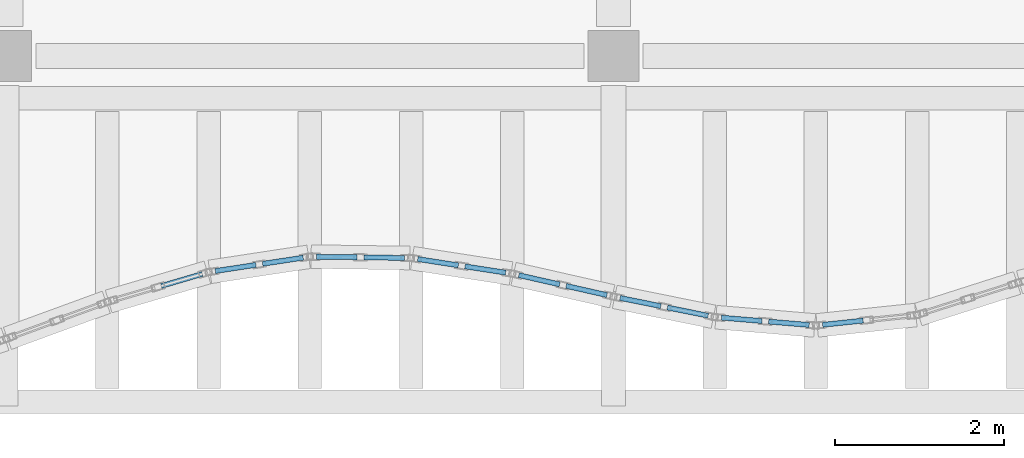
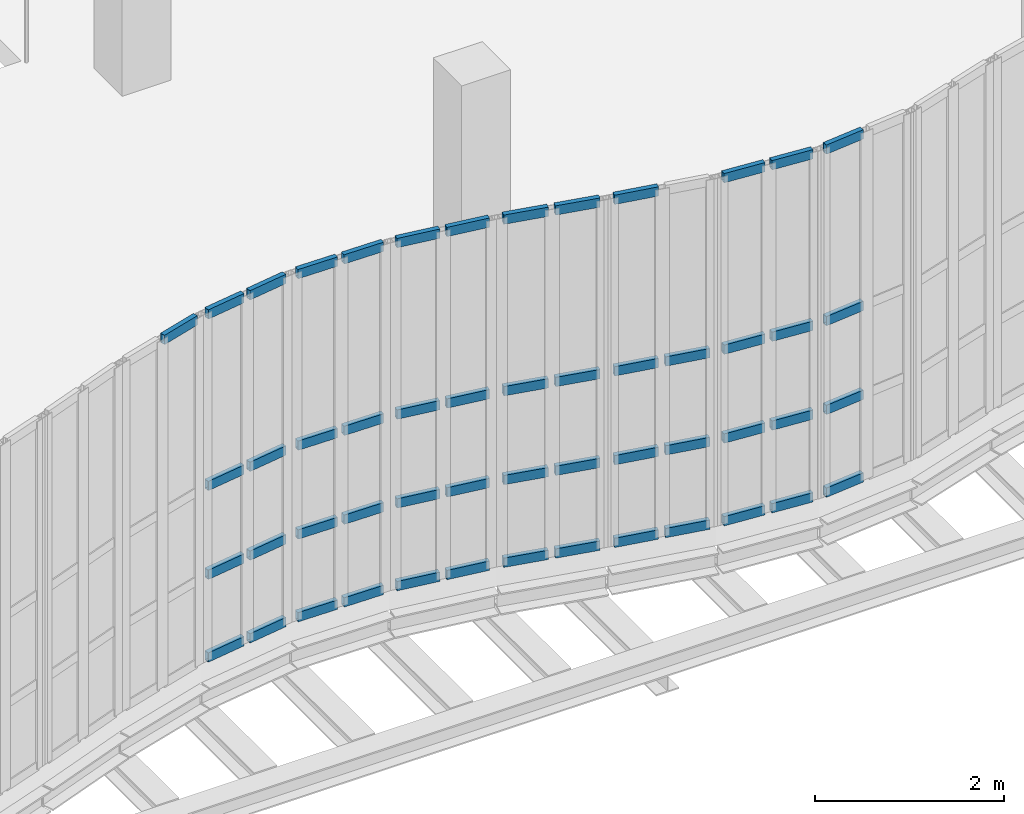
# One storey, part 58 of 105: 52 members, 8 elements without a shape of their own.
"""IFC4 building model written with IfcOpenShell, lengths in metres."""

from ifc_helpers import new_model, si_unit, direction, frame, origin, origin_2d, place, context, subcontext, project, spatial, hollow_rectangle, extrude, material, layer, layer_set, material_profile, profile_set, type_object, element, aggregate, save


model = new_model("IFC4")

# Units and contexts
model_context = context("Model", 3, precision=1e-05, world=origin(), true_north=direction((0.0, 1.0)))
body_context = subcontext(model_context, "Body", "Model", "MODEL_VIEW")
ifc_project = project(units=[si_unit("LENGTHUNIT", "METRE"), si_unit("AREAUNIT", "SQUARE_METRE"), si_unit("VOLUMEUNIT", "CUBIC_METRE"), si_unit("PLANEANGLEUNIT", "RADIAN"), si_unit("MASSUNIT", "GRAM", prefix="KILO"), si_unit("THERMODYNAMICTEMPERATUREUNIT", "KELVIN"), si_unit("POWERUNIT", "WATT")], contexts=[model_context])

# Site, building, storey
site_placement = place(None, origin())
site = spatial("IfcSite", under=ifc_project, at=site_placement, CompositionType="ELEMENT")
building_placement = place(site_placement, origin())
building = spatial("IfcBuilding", under=site, at=building_placement, Name="Kaldorven Railside Theatre", CompositionType="ELEMENT")
storey_placement = place(building_placement, frame((0.0, 0.0, 9.89990234375)))
storey = spatial("IfcBuildingStorey", under=building, at=storey_placement, Name="L02", CompositionType="ELEMENT", Elevation=9.89990234375)

# Curtain wall, member
ifc_material_1 = material(Name="Low-E laminated solar-control glass", Category="glass")
ifc_layer_1 = layer(ifc_material_1, 0.159912109375, Name="Low-E laminated solar-control glass")
ifc_layer_set_1 = layer_set([ifc_layer_1], Name="Low-E laminated solar-control glass")
curtain_wall_type_1 = type_object("IfcCurtainWallType", Name="CWT-04", PredefinedType="USERDEFINED", material=ifc_layer_set_1)
curtain_wall_1_placement = place(storey_placement, origin())
curtain_wall_1 = element("IfcCurtainWall", 1, at=curtain_wall_1_placement, inside=storey, type_object=curtain_wall_type_1, Name="Sinusoidal Fluted Curtain Wall CW-L02-S38", ObjectType="FLUTED GLAZING", PredefinedType="USERDEFINED")
ifc_material_2 = material(Name="Anodised bronze aluminium", Category="aluminium")
ifc_material_profile = material_profile(ifc_material_2, hollow_rectangle(XDim=0.06005859375, YDim=0.1201171875, WallThickness=0.0048828125, at=origin_2d()), Name="RHS 120x60x5")
ifc_profile_set = profile_set([ifc_material_profile], Name="Anodised bronze aluminium")
member_type = type_object("IfcMemberType", Name="CWT-120", PredefinedType="USERDEFINED", material=ifc_profile_set)
member_1_placement = place(storey_placement, frame((81.83837890625, 16.472900390625, 4.47021484375), z_axis=(0.959380884602, 0.282114016419, 0.0), x_axis=(-0.282114016419, 0.959380884602, 0.0)))
member_1 = element("IfcMember", 2, at=member_1_placement, type_object=member_type, Name="CW-L02-S38 transom 2.4", ObjectType="TRANSOM", PredefinedType="USERDEFINED", context=body_context, shape_type="SweptSolid", body=[
    extrude(hollow_rectangle(XDim=0.06005859375, YDim=0.1201171875, WallThickness=0.0048828125, at=origin_2d()), origin(), (0.0, 0.0, 1.0), 0.50537109375),
])
aggregate(curtain_wall_1, [member_1])

# Curtain wall, members
ifc_layer_2 = layer(ifc_material_1, 0.159912109375, Name="Low-E laminated solar-control glass")
ifc_layer_set_2 = layer_set([ifc_layer_2], Name="Low-E laminated solar-control glass")
curtain_wall_type_2 = type_object("IfcCurtainWallType", Name="CWT-07", PredefinedType="USERDEFINED", material=ifc_layer_set_2)
curtain_wall_2_placement = place(storey_placement, origin())
curtain_wall_2 = element("IfcCurtainWall", 3, at=curtain_wall_2_placement, inside=storey, type_object=curtain_wall_type_2, Name="Sinusoidal Fluted Curtain Wall CW-L02-S39", ObjectType="FLUTED GLAZING", PredefinedType="USERDEFINED")
member_2_placement = place(storey_placement, frame((82.47900390625, 16.650146484375, 0.030029296875), z_axis=(0.988550662101, 0.150889325199, 0.0), x_axis=(-0.150889325199, 0.988550662101, 0.0)))
member_2 = element("IfcMember", 4, at=member_2_placement, type_object=member_type, Name="CW-L02-S39 transom 1.1", ObjectType="TRANSOM", PredefinedType="USERDEFINED", context=body_context, shape_type="SweptSolid", body=[
    extrude(hollow_rectangle(XDim=0.06005859375, YDim=0.1201171875, WallThickness=0.0048828125, at=origin_2d()), origin(), (0.0, 0.0, 1.0), 0.487060546875),
])
member_3_placement = place(storey_placement, frame((82.47900390625, 16.650146484375, 1.10009765625), z_axis=(0.988550662101, 0.150889325199, 0.0), x_axis=(-0.150889325199, 0.988550662101, 0.0)))
member_3 = element("IfcMember", 5, at=member_3_placement, type_object=member_type, Name="CW-L02-S39 transom 1.2", ObjectType="TRANSOM", PredefinedType="USERDEFINED", context=body_context, shape_type="SweptSolid", body=[
    extrude(hollow_rectangle(XDim=0.06005859375, YDim=0.1201171875, WallThickness=0.0048828125, at=origin_2d()), origin(), (0.0, 0.0, 1.0), 0.487060546875),
])
member_4_placement = place(storey_placement, frame((82.47900390625, 16.650146484375, 2.25), z_axis=(0.988550662101, 0.150889325199, 0.0), x_axis=(-0.150889325199, 0.988550662101, 0.0)))
member_4 = element("IfcMember", 6, at=member_4_placement, type_object=member_type, Name="CW-L02-S39 transom 1.3", ObjectType="TRANSOM", PredefinedType="USERDEFINED", context=body_context, shape_type="SweptSolid", body=[
    extrude(hollow_rectangle(XDim=0.06005859375, YDim=0.1201171875, WallThickness=0.0048828125, at=origin_2d()), origin(), (0.0, 0.0, 1.0), 0.487060546875),
])
member_5_placement = place(storey_placement, frame((82.47900390625, 16.650146484375, 4.47021484375), z_axis=(0.988550662101, 0.150889325199, 0.0), x_axis=(-0.150889325199, 0.988550662101, 0.0)))
member_5 = element("IfcMember", 7, at=member_5_placement, type_object=member_type, Name="CW-L02-S39 transom 1.4", ObjectType="TRANSOM", PredefinedType="USERDEFINED", context=body_context, shape_type="SweptSolid", body=[
    extrude(hollow_rectangle(XDim=0.06005859375, YDim=0.1201171875, WallThickness=0.0048828125, at=origin_2d()), origin(), (0.0, 0.0, 1.0), 0.487060546875),
])
member_6_placement = place(storey_placement, frame((83.03955078125, 16.735595703125, 0.030029296875), z_axis=(0.988550662101, 0.150889325199, 0.0), x_axis=(-0.150889325199, 0.988550662101, 0.0)))
member_6 = element("IfcMember", 8, at=member_6_placement, type_object=member_type, Name="CW-L02-S39 transom 2.1", ObjectType="TRANSOM", PredefinedType="USERDEFINED", context=body_context, shape_type="SweptSolid", body=[
    extrude(hollow_rectangle(XDim=0.06005859375, YDim=0.1201171875, WallThickness=0.0048828125, at=origin_2d()), origin(), (0.0, 0.0, 1.0), 0.487060546875),
])
member_7_placement = place(storey_placement, frame((83.03955078125, 16.735595703125, 1.10009765625), z_axis=(0.988550662101, 0.150889325199, 0.0), x_axis=(-0.150889325199, 0.988550662101, 0.0)))
member_7 = element("IfcMember", 9, at=member_7_placement, type_object=member_type, Name="CW-L02-S39 transom 2.2", ObjectType="TRANSOM", PredefinedType="USERDEFINED", context=body_context, shape_type="SweptSolid", body=[
    extrude(hollow_rectangle(XDim=0.06005859375, YDim=0.1201171875, WallThickness=0.0048828125, at=origin_2d()), origin(), (0.0, 0.0, 1.0), 0.487060546875),
])
member_8_placement = place(storey_placement, frame((83.03955078125, 16.735595703125, 2.25), z_axis=(0.988550662101, 0.150889325199, 0.0), x_axis=(-0.150889325199, 0.988550662101, 0.0)))
member_8 = element("IfcMember", 10, at=member_8_placement, type_object=member_type, Name="CW-L02-S39 transom 2.3", ObjectType="TRANSOM", PredefinedType="USERDEFINED", context=body_context, shape_type="SweptSolid", body=[
    extrude(hollow_rectangle(XDim=0.06005859375, YDim=0.1201171875, WallThickness=0.0048828125, at=origin_2d()), origin(), (0.0, 0.0, 1.0), 0.487060546875),
])
member_9_placement = place(storey_placement, frame((83.03955078125, 16.735595703125, 4.47021484375), z_axis=(0.988550662101, 0.150889325199, 0.0), x_axis=(-0.150889325199, 0.988550662101, 0.0)))
member_9 = element("IfcMember", 11, at=member_9_placement, type_object=member_type, Name="CW-L02-S39 transom 2.4", ObjectType="TRANSOM", PredefinedType="USERDEFINED", context=body_context, shape_type="SweptSolid", body=[
    extrude(hollow_rectangle(XDim=0.06005859375, YDim=0.1201171875, WallThickness=0.0048828125, at=origin_2d()), origin(), (0.0, 0.0, 1.0), 0.487060546875),
])
aggregate(curtain_wall_2, [member_2, member_3, member_4, member_5, member_6, member_7, member_8, member_9])

ifc_layer_3 = layer(ifc_material_1, 0.159912109375, Name="Low-E laminated solar-control glass")
ifc_layer_set_3 = layer_set([ifc_layer_3], Name="Low-E laminated solar-control glass")
curtain_wall_type_3 = type_object("IfcCurtainWallType", Name="CWT-03", PredefinedType="USERDEFINED", material=ifc_layer_set_3)
curtain_wall_3_placement = place(storey_placement, origin())
curtain_wall_3 = element("IfcCurtainWall", 12, at=curtain_wall_3_placement, inside=storey, type_object=curtain_wall_type_3, Name="Sinusoidal Fluted Curtain Wall CW-L02-S40", ObjectType="FLUTED GLAZING", PredefinedType="USERDEFINED")
member_10_placement = place(storey_placement, frame((83.679931640625, 16.820068359375, 0.030029296875), z_axis=(0.999905709253, -0.013732174033, 0.0), x_axis=(0.013732174033, 0.999905709253, 0.0)))
member_10 = element("IfcMember", 13, at=member_10_placement, type_object=member_type, Name="CW-L02-S40 transom 1.1", ObjectType="TRANSOM", PredefinedType="USERDEFINED", context=body_context, shape_type="SweptSolid", body=[
    extrude(hollow_rectangle(XDim=0.06005859375, YDim=0.1201171875, WallThickness=0.0048828125, at=origin_2d()), origin(), (0.0, 0.0, 1.0), 0.47998046875),
])
member_11_placement = place(storey_placement, frame((83.679931640625, 16.820068359375, 1.10009765625), z_axis=(0.999905709253, -0.013732174033, 0.0), x_axis=(0.013732174033, 0.999905709253, 0.0)))
member_11 = element("IfcMember", 14, at=member_11_placement, type_object=member_type, Name="CW-L02-S40 transom 1.2", ObjectType="TRANSOM", PredefinedType="USERDEFINED", context=body_context, shape_type="SweptSolid", body=[
    extrude(hollow_rectangle(XDim=0.06005859375, YDim=0.1201171875, WallThickness=0.0048828125, at=origin_2d()), origin(), (0.0, 0.0, 1.0), 0.47998046875),
])
member_12_placement = place(storey_placement, frame((83.679931640625, 16.820068359375, 2.25), z_axis=(0.999905709253, -0.013732174033, 0.0), x_axis=(0.013732174033, 0.999905709253, 0.0)))
member_12 = element("IfcMember", 15, at=member_12_placement, type_object=member_type, Name="CW-L02-S40 transom 1.3", ObjectType="TRANSOM", PredefinedType="USERDEFINED", context=body_context, shape_type="SweptSolid", body=[
    extrude(hollow_rectangle(XDim=0.06005859375, YDim=0.1201171875, WallThickness=0.0048828125, at=origin_2d()), origin(), (0.0, 0.0, 1.0), 0.47998046875),
])
member_13_placement = place(storey_placement, frame((83.679931640625, 16.820068359375, 4.47021484375), z_axis=(0.999905709253, -0.013732174033, 0.0), x_axis=(0.013732174033, 0.999905709253, 0.0)))
member_13 = element("IfcMember", 16, at=member_13_placement, type_object=member_type, Name="CW-L02-S40 transom 1.4", ObjectType="TRANSOM", PredefinedType="USERDEFINED", context=body_context, shape_type="SweptSolid", body=[
    extrude(hollow_rectangle(XDim=0.06005859375, YDim=0.1201171875, WallThickness=0.0048828125, at=origin_2d()), origin(), (0.0, 0.0, 1.0), 0.47998046875),
])
member_14_placement = place(storey_placement, frame((84.239990234375, 16.812255859375, 0.030029296875), z_axis=(0.999905709253, -0.013732174033, 0.0), x_axis=(0.013732174033, 0.999905709253, 0.0)))
member_14 = element("IfcMember", 17, at=member_14_placement, type_object=member_type, Name="CW-L02-S40 transom 2.1", ObjectType="TRANSOM", PredefinedType="USERDEFINED", context=body_context, shape_type="SweptSolid", body=[
    extrude(hollow_rectangle(XDim=0.06005859375, YDim=0.1201171875, WallThickness=0.0048828125, at=origin_2d()), origin(), (0.0, 0.0, 1.0), 0.47998046875),
])
member_15_placement = place(storey_placement, frame((84.239990234375, 16.812255859375, 1.10009765625), z_axis=(0.999905709253, -0.013732174033, 0.0), x_axis=(0.013732174033, 0.999905709253, 0.0)))
member_15 = element("IfcMember", 18, at=member_15_placement, type_object=member_type, Name="CW-L02-S40 transom 2.2", ObjectType="TRANSOM", PredefinedType="USERDEFINED", context=body_context, shape_type="SweptSolid", body=[
    extrude(hollow_rectangle(XDim=0.06005859375, YDim=0.1201171875, WallThickness=0.0048828125, at=origin_2d()), origin(), (0.0, 0.0, 1.0), 0.47998046875),
])
member_16_placement = place(storey_placement, frame((84.239990234375, 16.812255859375, 2.25), z_axis=(0.999905709253, -0.013732174033, 0.0), x_axis=(0.013732174033, 0.999905709253, 0.0)))
member_16 = element("IfcMember", 19, at=member_16_placement, type_object=member_type, Name="CW-L02-S40 transom 2.3", ObjectType="TRANSOM", PredefinedType="USERDEFINED", context=body_context, shape_type="SweptSolid", body=[
    extrude(hollow_rectangle(XDim=0.06005859375, YDim=0.1201171875, WallThickness=0.0048828125, at=origin_2d()), origin(), (0.0, 0.0, 1.0), 0.47998046875),
])
member_17_placement = place(storey_placement, frame((84.239990234375, 16.812255859375, 4.47021484375), z_axis=(0.999905709253, -0.013732174033, 0.0), x_axis=(0.013732174033, 0.999905709253, 0.0)))
member_17 = element("IfcMember", 20, at=member_17_placement, type_object=member_type, Name="CW-L02-S40 transom 2.4", ObjectType="TRANSOM", PredefinedType="USERDEFINED", context=body_context, shape_type="SweptSolid", body=[
    extrude(hollow_rectangle(XDim=0.06005859375, YDim=0.1201171875, WallThickness=0.0048828125, at=origin_2d()), origin(), (0.0, 0.0, 1.0), 0.47998046875),
])
aggregate(curtain_wall_3, [member_10, member_11, member_12, member_13, member_14, member_15, member_16, member_17])

curtain_wall_4_placement = place(storey_placement, origin())
curtain_wall_4 = element("IfcCurtainWall", 21, at=curtain_wall_4_placement, inside=storey, type_object=curtain_wall_type_2, Name="Sinusoidal Fluted Curtain Wall CW-L02-S41", ObjectType="FLUTED GLAZING", PredefinedType="USERDEFINED")
member_18_placement = place(storey_placement, frame((84.879150390625, 16.79248046875, 0.030029296875), z_axis=(0.988162112514, -0.153413296007, 0.0), x_axis=(0.153413296007, 0.988162112514, 0.0)))
member_18 = element("IfcMember", 22, at=member_18_placement, type_object=member_type, Name="CW-L02-S41 transom 1.1", ObjectType="TRANSOM", PredefinedType="USERDEFINED", context=body_context, shape_type="SweptSolid", body=[
    extrude(hollow_rectangle(XDim=0.06005859375, YDim=0.1201171875, WallThickness=0.0048828125, at=origin_2d()), origin(), (0.0, 0.0, 1.0), 0.487060546875),
])
member_19_placement = place(storey_placement, frame((84.879150390625, 16.79248046875, 1.10009765625), z_axis=(0.988162112514, -0.153413296007, 0.0), x_axis=(0.153413296007, 0.988162112514, 0.0)))
member_19 = element("IfcMember", 23, at=member_19_placement, type_object=member_type, Name="CW-L02-S41 transom 1.2", ObjectType="TRANSOM", PredefinedType="USERDEFINED", context=body_context, shape_type="SweptSolid", body=[
    extrude(hollow_rectangle(XDim=0.06005859375, YDim=0.1201171875, WallThickness=0.0048828125, at=origin_2d()), origin(), (0.0, 0.0, 1.0), 0.487060546875),
])
member_20_placement = place(storey_placement, frame((84.879150390625, 16.79248046875, 2.25), z_axis=(0.988162112514, -0.153413296007, 0.0), x_axis=(0.153413296007, 0.988162112514, 0.0)))
member_20 = element("IfcMember", 24, at=member_20_placement, type_object=member_type, Name="CW-L02-S41 transom 1.3", ObjectType="TRANSOM", PredefinedType="USERDEFINED", context=body_context, shape_type="SweptSolid", body=[
    extrude(hollow_rectangle(XDim=0.06005859375, YDim=0.1201171875, WallThickness=0.0048828125, at=origin_2d()), origin(), (0.0, 0.0, 1.0), 0.487060546875),
])
member_21_placement = place(storey_placement, frame((84.879150390625, 16.79248046875, 4.47021484375), z_axis=(0.988162112514, -0.153413296007, 0.0), x_axis=(0.153413296007, 0.988162112514, 0.0)))
member_21 = element("IfcMember", 25, at=member_21_placement, type_object=member_type, Name="CW-L02-S41 transom 1.4", ObjectType="TRANSOM", PredefinedType="USERDEFINED", context=body_context, shape_type="SweptSolid", body=[
    extrude(hollow_rectangle(XDim=0.06005859375, YDim=0.1201171875, WallThickness=0.0048828125, at=origin_2d()), origin(), (0.0, 0.0, 1.0), 0.487060546875),
])
member_22_placement = place(storey_placement, frame((85.439453125, 16.70556640625, 0.030029296875), z_axis=(0.988249717028, -0.152847953191, 0.0), x_axis=(0.152847953191, 0.988249717028, 0.0)))
member_22 = element("IfcMember", 26, at=member_22_placement, type_object=member_type, Name="CW-L02-S41 transom 2.1", ObjectType="TRANSOM", PredefinedType="USERDEFINED", context=body_context, shape_type="SweptSolid", body=[
    extrude(hollow_rectangle(XDim=0.06005859375, YDim=0.1201171875, WallThickness=0.0048828125, at=origin_2d()), origin(), (0.0, 0.0, 1.0), 0.487060546875),
])
member_23_placement = place(storey_placement, frame((85.439453125, 16.70556640625, 1.10009765625), z_axis=(0.988249717028, -0.152847953191, 0.0), x_axis=(0.152847953191, 0.988249717028, 0.0)))
member_23 = element("IfcMember", 27, at=member_23_placement, type_object=member_type, Name="CW-L02-S41 transom 2.2", ObjectType="TRANSOM", PredefinedType="USERDEFINED", context=body_context, shape_type="SweptSolid", body=[
    extrude(hollow_rectangle(XDim=0.06005859375, YDim=0.1201171875, WallThickness=0.0048828125, at=origin_2d()), origin(), (0.0, 0.0, 1.0), 0.487060546875),
])
member_24_placement = place(storey_placement, frame((85.439453125, 16.70556640625, 2.25), z_axis=(0.988249717028, -0.152847953191, 0.0), x_axis=(0.152847953191, 0.988249717028, 0.0)))
member_24 = element("IfcMember", 28, at=member_24_placement, type_object=member_type, Name="CW-L02-S41 transom 2.3", ObjectType="TRANSOM", PredefinedType="USERDEFINED", context=body_context, shape_type="SweptSolid", body=[
    extrude(hollow_rectangle(XDim=0.06005859375, YDim=0.1201171875, WallThickness=0.0048828125, at=origin_2d()), origin(), (0.0, 0.0, 1.0), 0.487060546875),
])
member_25_placement = place(storey_placement, frame((85.439453125, 16.70556640625, 4.47021484375), z_axis=(0.988249717028, -0.152847953191, 0.0), x_axis=(0.152847953191, 0.988249717028, 0.0)))
member_25 = element("IfcMember", 29, at=member_25_placement, type_object=member_type, Name="CW-L02-S41 transom 2.4", ObjectType="TRANSOM", PredefinedType="USERDEFINED", context=body_context, shape_type="SweptSolid", body=[
    extrude(hollow_rectangle(XDim=0.06005859375, YDim=0.1201171875, WallThickness=0.0048828125, at=origin_2d()), origin(), (0.0, 0.0, 1.0), 0.487060546875),
])
aggregate(curtain_wall_4, [member_18, member_19, member_20, member_21, member_22, member_23, member_24, member_25])

ifc_layer_4 = layer(ifc_material_1, 0.159912109375, Name="Low-E laminated solar-control glass")
ifc_layer_set_4 = layer_set([ifc_layer_4], Name="Low-E laminated solar-control glass")
curtain_wall_type_4 = type_object("IfcCurtainWallType", Name="CWT-02", PredefinedType="USERDEFINED", material=ifc_layer_set_4)
curtain_wall_5_placement = place(storey_placement, origin())
curtain_wall_5 = element("IfcCurtainWall", 30, at=curtain_wall_5_placement, inside=storey, type_object=curtain_wall_type_4, Name="Sinusoidal Fluted Curtain Wall CW-L02-S42", ObjectType="FLUTED GLAZING", PredefinedType="USERDEFINED")
member_26_placement = place(storey_placement, frame((86.078125, 16.60107421875, 0.030029296875), z_axis=(0.975403393098, -0.22042735931, 0.0), x_axis=(0.22042735931, 0.975403393098, 0.0)))
member_26 = element("IfcMember", 31, at=member_26_placement, type_object=member_type, Name="CW-L02-S42 transom 1.1", ObjectType="TRANSOM", PredefinedType="USERDEFINED", context=body_context, shape_type="SweptSolid", body=[
    extrude(hollow_rectangle(XDim=0.06005859375, YDim=0.1201171875, WallThickness=0.0048828125, at=origin_2d()), origin(), (0.0, 0.0, 1.0), 0.4951171875),
])
member_27_placement = place(storey_placement, frame((86.078125, 16.60107421875, 1.10009765625), z_axis=(0.975403393098, -0.22042735931, 0.0), x_axis=(0.22042735931, 0.975403393098, 0.0)))
member_27 = element("IfcMember", 32, at=member_27_placement, type_object=member_type, Name="CW-L02-S42 transom 1.2", ObjectType="TRANSOM", PredefinedType="USERDEFINED", context=body_context, shape_type="SweptSolid", body=[
    extrude(hollow_rectangle(XDim=0.06005859375, YDim=0.1201171875, WallThickness=0.0048828125, at=origin_2d()), origin(), (0.0, 0.0, 1.0), 0.4951171875),
])
member_28_placement = place(storey_placement, frame((86.078125, 16.60107421875, 2.25), z_axis=(0.975403393098, -0.22042735931, 0.0), x_axis=(0.22042735931, 0.975403393098, 0.0)))
member_28 = element("IfcMember", 33, at=member_28_placement, type_object=member_type, Name="CW-L02-S42 transom 1.3", ObjectType="TRANSOM", PredefinedType="USERDEFINED", context=body_context, shape_type="SweptSolid", body=[
    extrude(hollow_rectangle(XDim=0.06005859375, YDim=0.1201171875, WallThickness=0.0048828125, at=origin_2d()), origin(), (0.0, 0.0, 1.0), 0.4951171875),
])
member_29_placement = place(storey_placement, frame((86.078125, 16.60107421875, 4.47021484375), z_axis=(0.975403393098, -0.22042735931, 0.0), x_axis=(0.22042735931, 0.975403393098, 0.0)))
member_29 = element("IfcMember", 34, at=member_29_placement, type_object=member_type, Name="CW-L02-S42 transom 1.4", ObjectType="TRANSOM", PredefinedType="USERDEFINED", context=body_context, shape_type="SweptSolid", body=[
    extrude(hollow_rectangle(XDim=0.06005859375, YDim=0.1201171875, WallThickness=0.0048828125, at=origin_2d()), origin(), (0.0, 0.0, 1.0), 0.4951171875),
])
member_30_placement = place(storey_placement, frame((86.638916015625, 16.47412109375, 0.030029296875), z_axis=(0.975427335941, -0.220321384116, 0.0), x_axis=(0.220321384116, 0.975427335941, 0.0)))
member_30 = element("IfcMember", 35, at=member_30_placement, type_object=member_type, Name="CW-L02-S42 transom 2.1", ObjectType="TRANSOM", PredefinedType="USERDEFINED", context=body_context, shape_type="SweptSolid", body=[
    extrude(hollow_rectangle(XDim=0.06005859375, YDim=0.1201171875, WallThickness=0.0048828125, at=origin_2d()), origin(), (0.0, 0.0, 1.0), 0.495361328125),
])
member_31_placement = place(storey_placement, frame((86.638916015625, 16.47412109375, 1.10009765625), z_axis=(0.975427335941, -0.220321384116, 0.0), x_axis=(0.220321384116, 0.975427335941, 0.0)))
member_31 = element("IfcMember", 36, at=member_31_placement, type_object=member_type, Name="CW-L02-S42 transom 2.2", ObjectType="TRANSOM", PredefinedType="USERDEFINED", context=body_context, shape_type="SweptSolid", body=[
    extrude(hollow_rectangle(XDim=0.06005859375, YDim=0.1201171875, WallThickness=0.0048828125, at=origin_2d()), origin(), (0.0, 0.0, 1.0), 0.495361328125),
])
member_32_placement = place(storey_placement, frame((86.638916015625, 16.47412109375, 2.25), z_axis=(0.975427335941, -0.220321384116, 0.0), x_axis=(0.220321384116, 0.975427335941, 0.0)))
member_32 = element("IfcMember", 37, at=member_32_placement, type_object=member_type, Name="CW-L02-S42 transom 2.3", ObjectType="TRANSOM", PredefinedType="USERDEFINED", context=body_context, shape_type="SweptSolid", body=[
    extrude(hollow_rectangle(XDim=0.06005859375, YDim=0.1201171875, WallThickness=0.0048828125, at=origin_2d()), origin(), (0.0, 0.0, 1.0), 0.495361328125),
])
member_33_placement = place(storey_placement, frame((86.638916015625, 16.47412109375, 4.47021484375), z_axis=(0.975427335941, -0.220321384116, 0.0), x_axis=(0.220321384116, 0.975427335941, 0.0)))
member_33 = element("IfcMember", 38, at=member_33_placement, type_object=member_type, Name="CW-L02-S42 transom 2.4", ObjectType="TRANSOM", PredefinedType="USERDEFINED", context=body_context, shape_type="SweptSolid", body=[
    extrude(hollow_rectangle(XDim=0.06005859375, YDim=0.1201171875, WallThickness=0.0048828125, at=origin_2d()), origin(), (0.0, 0.0, 1.0), 0.495361328125),
])
aggregate(curtain_wall_5, [member_26, member_27, member_28, member_29, member_30, member_31, member_32, member_33])

curtain_wall_6_placement = place(storey_placement, origin())
curtain_wall_6 = element("IfcCurtainWall", 39, at=curtain_wall_6_placement, inside=storey, type_object=curtain_wall_type_2, Name="Sinusoidal Fluted Curtain Wall CW-L02-S43", ObjectType="FLUTED GLAZING", PredefinedType="USERDEFINED")
member_34_placement = place(storey_placement, frame((87.2783203125, 16.33154296875, 0.030029296875), z_axis=(0.980120145941, -0.198404887842, 0.0), x_axis=(0.198404887842, 0.980120145941, 0.0)))
member_34 = element("IfcMember", 40, at=member_34_placement, type_object=member_type, Name="CW-L02-S43 transom 1.1", ObjectType="TRANSOM", PredefinedType="USERDEFINED", context=body_context, shape_type="SweptSolid", body=[
    extrude(hollow_rectangle(XDim=0.06005859375, YDim=0.1201171875, WallThickness=0.0048828125, at=origin_2d()), origin(), (0.0, 0.0, 1.0), 0.4921875),
])
member_35_placement = place(storey_placement, frame((87.2783203125, 16.33154296875, 1.10009765625), z_axis=(0.980120145941, -0.198404887842, 0.0), x_axis=(0.198404887842, 0.980120145941, 0.0)))
member_35 = element("IfcMember", 41, at=member_35_placement, type_object=member_type, Name="CW-L02-S43 transom 1.2", ObjectType="TRANSOM", PredefinedType="USERDEFINED", context=body_context, shape_type="SweptSolid", body=[
    extrude(hollow_rectangle(XDim=0.06005859375, YDim=0.1201171875, WallThickness=0.0048828125, at=origin_2d()), origin(), (0.0, 0.0, 1.0), 0.4921875),
])
member_36_placement = place(storey_placement, frame((87.2783203125, 16.33154296875, 2.25), z_axis=(0.980120145941, -0.198404887842, 0.0), x_axis=(0.198404887842, 0.980120145941, 0.0)))
member_36 = element("IfcMember", 42, at=member_36_placement, type_object=member_type, Name="CW-L02-S43 transom 1.3", ObjectType="TRANSOM", PredefinedType="USERDEFINED", context=body_context, shape_type="SweptSolid", body=[
    extrude(hollow_rectangle(XDim=0.06005859375, YDim=0.1201171875, WallThickness=0.0048828125, at=origin_2d()), origin(), (0.0, 0.0, 1.0), 0.4921875),
])
member_37_placement = place(storey_placement, frame((87.2783203125, 16.33154296875, 4.47021484375), z_axis=(0.980120145941, -0.198404887842, 0.0), x_axis=(0.198404887842, 0.980120145941, 0.0)))
member_37 = element("IfcMember", 43, at=member_37_placement, type_object=member_type, Name="CW-L02-S43 transom 1.4", ObjectType="TRANSOM", PredefinedType="USERDEFINED", context=body_context, shape_type="SweptSolid", body=[
    extrude(hollow_rectangle(XDim=0.06005859375, YDim=0.1201171875, WallThickness=0.0048828125, at=origin_2d()), origin(), (0.0, 0.0, 1.0), 0.4921875),
])
member_38_placement = place(storey_placement, frame((87.839111328125, 16.218017578125, 0.030029296875), z_axis=(0.980120145941, -0.198404887842, 0.0), x_axis=(0.198404887842, 0.980120145941, 0.0)))
member_38 = element("IfcMember", 44, at=member_38_placement, type_object=member_type, Name="CW-L02-S43 transom 2.1", ObjectType="TRANSOM", PredefinedType="USERDEFINED", context=body_context, shape_type="SweptSolid", body=[
    extrude(hollow_rectangle(XDim=0.06005859375, YDim=0.1201171875, WallThickness=0.0048828125, at=origin_2d()), origin(), (0.0, 0.0, 1.0), 0.4921875),
])
member_39_placement = place(storey_placement, frame((87.839111328125, 16.218017578125, 1.10009765625), z_axis=(0.980120145941, -0.198404887842, 0.0), x_axis=(0.198404887842, 0.980120145941, 0.0)))
member_39 = element("IfcMember", 45, at=member_39_placement, type_object=member_type, Name="CW-L02-S43 transom 2.2", ObjectType="TRANSOM", PredefinedType="USERDEFINED", context=body_context, shape_type="SweptSolid", body=[
    extrude(hollow_rectangle(XDim=0.06005859375, YDim=0.1201171875, WallThickness=0.0048828125, at=origin_2d()), origin(), (0.0, 0.0, 1.0), 0.4921875),
])
member_40_placement = place(storey_placement, frame((87.839111328125, 16.218017578125, 2.25), z_axis=(0.980120145941, -0.198404887842, 0.0), x_axis=(0.198404887842, 0.980120145941, 0.0)))
member_40 = element("IfcMember", 46, at=member_40_placement, type_object=member_type, Name="CW-L02-S43 transom 2.3", ObjectType="TRANSOM", PredefinedType="USERDEFINED", context=body_context, shape_type="SweptSolid", body=[
    extrude(hollow_rectangle(XDim=0.06005859375, YDim=0.1201171875, WallThickness=0.0048828125, at=origin_2d()), origin(), (0.0, 0.0, 1.0), 0.4921875),
])
aggregate(curtain_wall_6, [member_34, member_35, member_36, member_37, member_38, member_39, member_40])

curtain_wall_7_placement = place(storey_placement, origin())
curtain_wall_7 = element("IfcCurtainWall", 47, at=curtain_wall_7_placement, inside=storey, type_object=curtain_wall_type_3, Name="Sinusoidal Fluted Curtain Wall CW-L02-S44", ObjectType="FLUTED GLAZING", PredefinedType="USERDEFINED")
member_41_placement = place(storey_placement, frame((88.479736328125, 16.09765625, 0.030029296875), z_axis=(0.996545758245, -0.083045479854, 0.0), x_axis=(0.083045479854, 0.996545758245, 0.0)))
member_41 = element("IfcMember", 48, at=member_41_placement, type_object=member_type, Name="CW-L02-S44 transom 1.1", ObjectType="TRANSOM", PredefinedType="USERDEFINED", context=body_context, shape_type="SweptSolid", body=[
    extrude(hollow_rectangle(XDim=0.06005859375, YDim=0.1201171875, WallThickness=0.0048828125, at=origin_2d()), origin(), (0.0, 0.0, 1.0), 0.482177734375),
])
member_42_placement = place(storey_placement, frame((88.479736328125, 16.09765625, 1.10009765625), z_axis=(0.996545758245, -0.083045479854, 0.0), x_axis=(0.083045479854, 0.996545758245, 0.0)))
member_42 = element("IfcMember", 49, at=member_42_placement, type_object=member_type, Name="CW-L02-S44 transom 1.2", ObjectType="TRANSOM", PredefinedType="USERDEFINED", context=body_context, shape_type="SweptSolid", body=[
    extrude(hollow_rectangle(XDim=0.06005859375, YDim=0.1201171875, WallThickness=0.0048828125, at=origin_2d()), origin(), (0.0, 0.0, 1.0), 0.482177734375),
])
member_43_placement = place(storey_placement, frame((88.479736328125, 16.09765625, 2.25), z_axis=(0.996545758245, -0.083045479854, 0.0), x_axis=(0.083045479854, 0.996545758245, 0.0)))
member_43 = element("IfcMember", 50, at=member_43_placement, type_object=member_type, Name="CW-L02-S44 transom 1.3", ObjectType="TRANSOM", PredefinedType="USERDEFINED", context=body_context, shape_type="SweptSolid", body=[
    extrude(hollow_rectangle(XDim=0.06005859375, YDim=0.1201171875, WallThickness=0.0048828125, at=origin_2d()), origin(), (0.0, 0.0, 1.0), 0.482177734375),
])
member_44_placement = place(storey_placement, frame((88.479736328125, 16.09765625, 4.47021484375), z_axis=(0.996545758245, -0.083045479854, 0.0), x_axis=(0.083045479854, 0.996545758245, 0.0)))
member_44 = element("IfcMember", 51, at=member_44_placement, type_object=member_type, Name="CW-L02-S44 transom 1.4", ObjectType="TRANSOM", PredefinedType="USERDEFINED", context=body_context, shape_type="SweptSolid", body=[
    extrude(hollow_rectangle(XDim=0.06005859375, YDim=0.1201171875, WallThickness=0.0048828125, at=origin_2d()), origin(), (0.0, 0.0, 1.0), 0.482177734375),
])
member_45_placement = place(storey_placement, frame((89.039794921875, 16.051025390625, 0.030029296875), z_axis=(0.996503726253, -0.083548330707, 0.0), x_axis=(0.083548330707, 0.996503726253, 0.0)))
member_45 = element("IfcMember", 52, at=member_45_placement, type_object=member_type, Name="CW-L02-S44 transom 2.1", ObjectType="TRANSOM", PredefinedType="USERDEFINED", context=body_context, shape_type="SweptSolid", body=[
    extrude(hollow_rectangle(XDim=0.06005859375, YDim=0.1201171875, WallThickness=0.0048828125, at=origin_2d()), origin(), (0.0, 0.0, 1.0), 0.482177734375),
])
member_46_placement = place(storey_placement, frame((89.039794921875, 16.051025390625, 1.10009765625), z_axis=(0.996503726253, -0.083548330707, 0.0), x_axis=(0.083548330707, 0.996503726253, 0.0)))
member_46 = element("IfcMember", 53, at=member_46_placement, type_object=member_type, Name="CW-L02-S44 transom 2.2", ObjectType="TRANSOM", PredefinedType="USERDEFINED", context=body_context, shape_type="SweptSolid", body=[
    extrude(hollow_rectangle(XDim=0.06005859375, YDim=0.1201171875, WallThickness=0.0048828125, at=origin_2d()), origin(), (0.0, 0.0, 1.0), 0.482177734375),
])
member_47_placement = place(storey_placement, frame((89.039794921875, 16.051025390625, 2.25), z_axis=(0.996503726253, -0.083548330707, 0.0), x_axis=(0.083548330707, 0.996503726253, 0.0)))
member_47 = element("IfcMember", 54, at=member_47_placement, type_object=member_type, Name="CW-L02-S44 transom 2.3", ObjectType="TRANSOM", PredefinedType="USERDEFINED", context=body_context, shape_type="SweptSolid", body=[
    extrude(hollow_rectangle(XDim=0.06005859375, YDim=0.1201171875, WallThickness=0.0048828125, at=origin_2d()), origin(), (0.0, 0.0, 1.0), 0.482177734375),
])
member_48_placement = place(storey_placement, frame((89.039794921875, 16.051025390625, 4.47021484375), z_axis=(0.996503726253, -0.083548330707, 0.0), x_axis=(0.083548330707, 0.996503726253, 0.0)))
member_48 = element("IfcMember", 55, at=member_48_placement, type_object=member_type, Name="CW-L02-S44 transom 2.4", ObjectType="TRANSOM", PredefinedType="USERDEFINED", context=body_context, shape_type="SweptSolid", body=[
    extrude(hollow_rectangle(XDim=0.06005859375, YDim=0.1201171875, WallThickness=0.0048828125, at=origin_2d()), origin(), (0.0, 0.0, 1.0), 0.482177734375),
])
aggregate(curtain_wall_7, [member_41, member_42, member_43, member_44, member_45, member_46, member_47, member_48])

curtain_wall_8_placement = place(storey_placement, origin())
curtain_wall_8 = element("IfcCurtainWall", 56, at=curtain_wall_8_placement, inside=storey, type_object=curtain_wall_type_3, Name="Sinusoidal Fluted Curtain Wall CW-L02-S45", ObjectType="FLUTED GLAZING", PredefinedType="USERDEFINED")
member_49_placement = place(storey_placement, frame((89.679443359375, 16.012451171875, 0.030029296875), z_axis=(0.994519282274, 0.10455332221, 0.0), x_axis=(-0.10455332221, 0.994519282274, 0.0)))
member_49 = element("IfcMember", 57, at=member_49_placement, type_object=member_type, Name="CW-L02-S45 transom 1.1", ObjectType="TRANSOM", PredefinedType="USERDEFINED", context=body_context, shape_type="SweptSolid", body=[
    extrude(hollow_rectangle(XDim=0.06005859375, YDim=0.1201171875, WallThickness=0.0048828125, at=origin_2d()), origin(), (0.0, 0.0, 1.0), 0.4833984375),
])
member_50_placement = place(storey_placement, frame((89.679443359375, 16.012451171875, 1.10009765625), z_axis=(0.994519282274, 0.10455332221, 0.0), x_axis=(-0.10455332221, 0.994519282274, 0.0)))
member_50 = element("IfcMember", 58, at=member_50_placement, type_object=member_type, Name="CW-L02-S45 transom 1.2", ObjectType="TRANSOM", PredefinedType="USERDEFINED", context=body_context, shape_type="SweptSolid", body=[
    extrude(hollow_rectangle(XDim=0.06005859375, YDim=0.1201171875, WallThickness=0.0048828125, at=origin_2d()), origin(), (0.0, 0.0, 1.0), 0.4833984375),
])
member_51_placement = place(storey_placement, frame((89.679443359375, 16.012451171875, 2.25), z_axis=(0.994519282274, 0.10455332221, 0.0), x_axis=(-0.10455332221, 0.994519282274, 0.0)))
member_51 = element("IfcMember", 59, at=member_51_placement, type_object=member_type, Name="CW-L02-S45 transom 1.3", ObjectType="TRANSOM", PredefinedType="USERDEFINED", context=body_context, shape_type="SweptSolid", body=[
    extrude(hollow_rectangle(XDim=0.06005859375, YDim=0.1201171875, WallThickness=0.0048828125, at=origin_2d()), origin(), (0.0, 0.0, 1.0), 0.4833984375),
])
member_52_placement = place(storey_placement, frame((89.679443359375, 16.012451171875, 4.47021484375), z_axis=(0.994519282274, 0.10455332221, 0.0), x_axis=(-0.10455332221, 0.994519282274, 0.0)))
member_52 = element("IfcMember", 60, at=member_52_placement, type_object=member_type, Name="CW-L02-S45 transom 1.4", ObjectType="TRANSOM", PredefinedType="USERDEFINED", context=body_context, shape_type="SweptSolid", body=[
    extrude(hollow_rectangle(XDim=0.06005859375, YDim=0.1201171875, WallThickness=0.0048828125, at=origin_2d()), origin(), (0.0, 0.0, 1.0), 0.4833984375),
])
aggregate(curtain_wall_8, [member_49, member_50, member_51, member_52])

save(model, "model.ifc")
